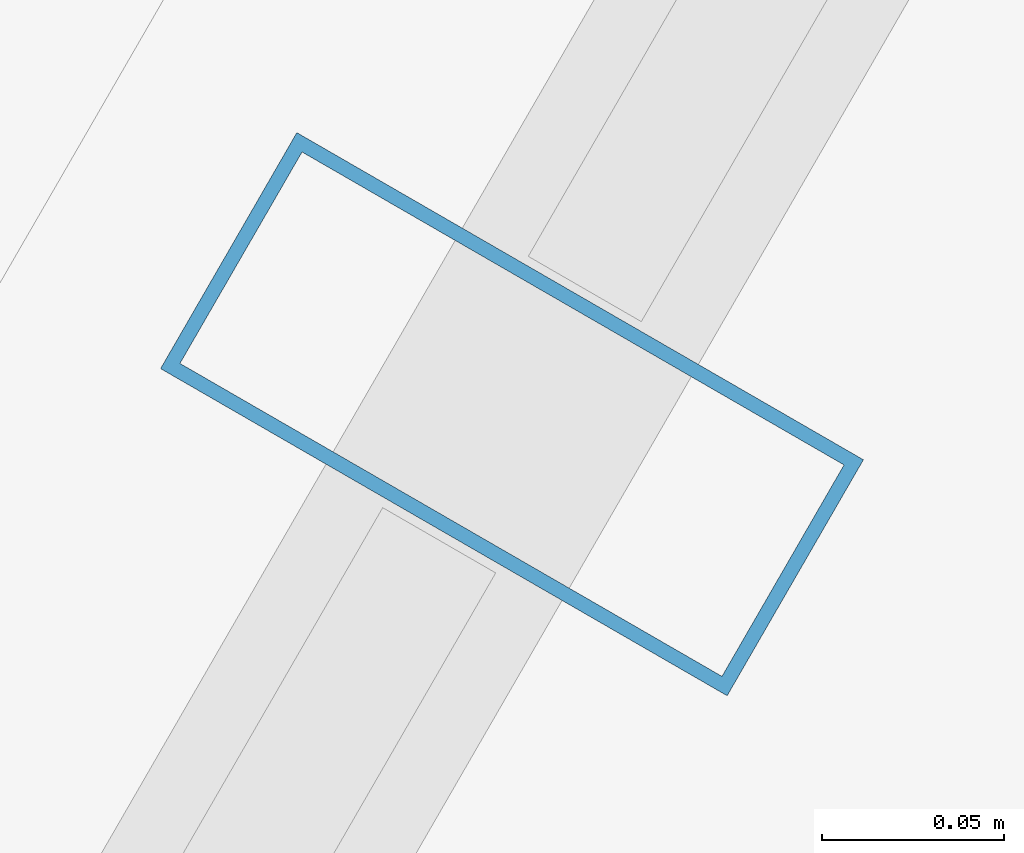
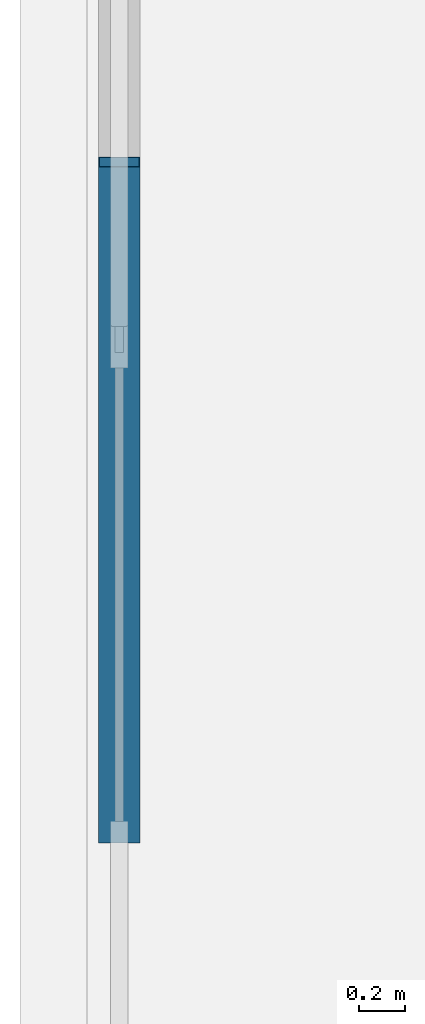
# One storey, part 17 of 35: 1 member, 1 element without a shape of its own.
"""IFC4 building model written with IfcOpenShell, lengths in metres."""

from ifc_helpers import new_model, si_unit, direction, frame, origin, origin_2d, place, context, subcontext, project, spatial, hollow_rectangle, extrude, material, layer, layer_set, material_profile, profile_set, type_object, element, aggregate, save


model = new_model("IFC4")

# Units and contexts
model_context = context("Model", 3, precision=1e-05, world=origin(), true_north=direction((0.0, 1.0)))
body_context = subcontext(model_context, "Body", "Model", "MODEL_VIEW")
ifc_project = project(units=[si_unit("LENGTHUNIT", "METRE"), si_unit("AREAUNIT", "SQUARE_METRE"), si_unit("VOLUMEUNIT", "CUBIC_METRE"), si_unit("PLANEANGLEUNIT", "RADIAN"), si_unit("MASSUNIT", "GRAM", prefix="KILO")], contexts=[model_context])

# Site, building, storey
site_placement = place(None, origin())
site = spatial("IfcSite", under=ifc_project, at=site_placement, CompositionType="ELEMENT")
building_placement = place(site_placement, origin())
building = spatial("IfcBuilding", under=site, at=building_placement, Name="Ndaravel Arena Tower", CompositionType="ELEMENT")
storey_placement = place(building_placement, frame((0.0, 0.0, 271.199951171875)))
storey = spatial("IfcBuildingStorey", under=building, at=storey_placement, Name="L66", CompositionType="ELEMENT", Elevation=271.199951171875)

# Curtain wall, member
ifc_material_1 = material(Name="Aluminium", Category="aluminium")
ifc_layer = layer(ifc_material_1, 0.179931640625)
ifc_layer_set = layer_set([ifc_layer], Name="Aluminium")
curtain_wall_type = type_object("IfcCurtainWallType", Name="CW-SYS-03", PredefinedType="NOTDEFINED", material=ifc_layer_set)
curtain_wall_placement = place(storey_placement, origin())
curtain_wall = element("IfcCurtainWall", 1, at=curtain_wall_placement, inside=storey, type_object=curtain_wall_type, Name="L66 Faceted Crystal Curtain Wall CW-L66-E05", PredefinedType="NOTDEFINED")
ifc_material_2 = material(Name="Aluminium", Category="aluminium")
ifc_material_profile = material_profile(ifc_material_2, hollow_rectangle(XDim=0.074951171875, YDim=0.179931640625, WallThickness=0.00390625, at=origin_2d()), Name="CW MULLION 75x180x4")
ifc_profile_set = profile_set([ifc_material_profile], Name="Aluminium")
member_type = type_object("IfcMemberType", Name="MEM-CW-MUL180", PredefinedType="MULLION", material=ifc_profile_set)
member_placement = place(storey_placement, frame((35.019775390625, 36.455810546875, 0.0), z_axis=(0.0, 0.0, 1.0), x_axis=(-0.5, -0.866025403784, 0.0)))
member = element("IfcMember", 2, at=member_placement, type_object=member_type, Name="CW-L66-E05 Mullion 02", PredefinedType="MULLION", context=body_context, shape_type="SweptSolid", body=[
    extrude(hollow_rectangle(XDim=0.074951171875, YDim=0.179931640625, WallThickness=0.00390625, at=origin_2d()), origin(), (0.0, 0.0, 1.0), 3.580078125),
])
aggregate(curtain_wall, [member])

save(model, "model.ifc")
